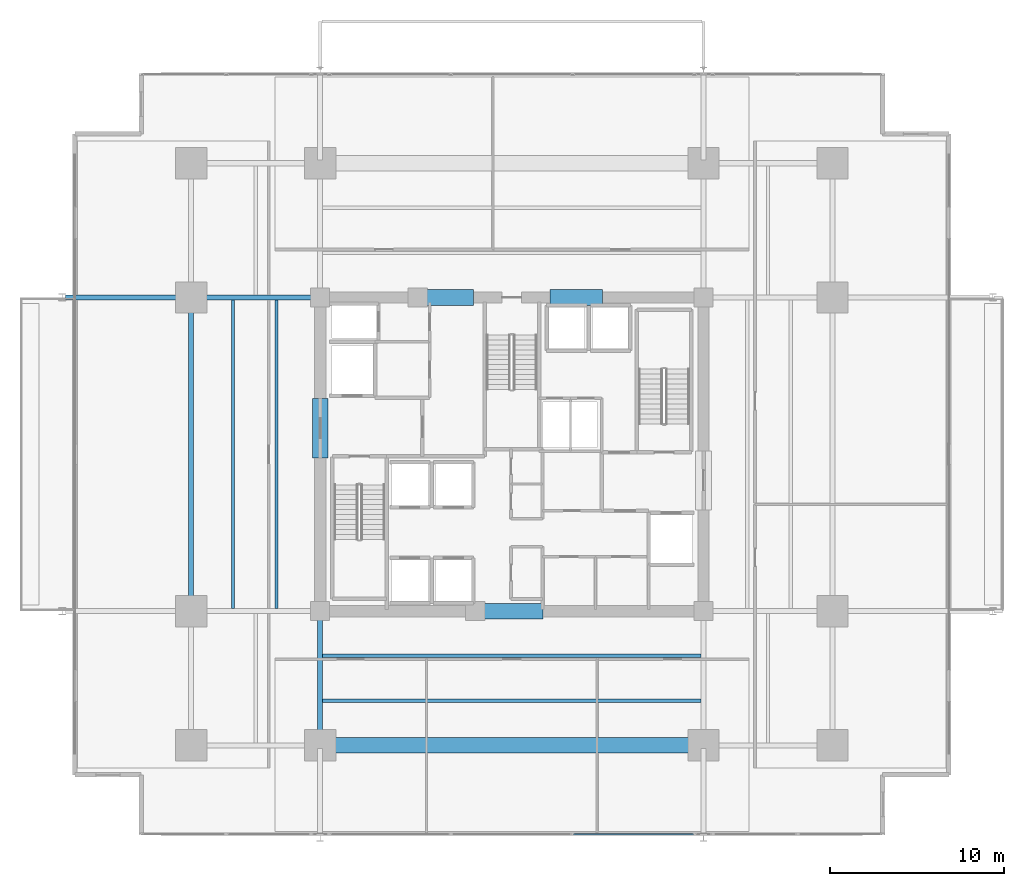
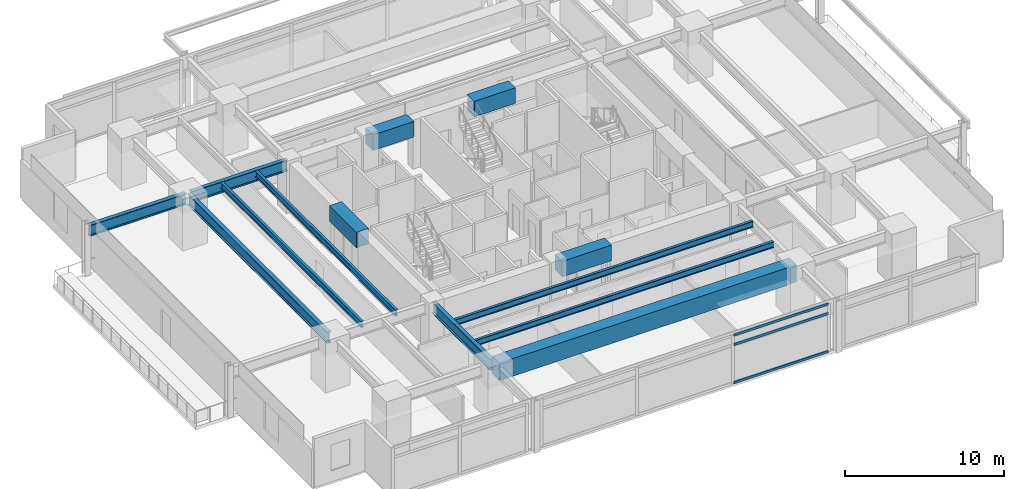
# One storey, part 4 of 20: 13 beams, 3 members, 1 element without a shape of its own.
"""IFC4 building model written with IfcOpenShell, lengths in metres."""

import ifcopenshell
import ifcopenshell.guid

model = None  # the IFC model being written
_history = None  # IfcOwnerHistory: only IFC2X3 demands one
_inside = {}  # id of a spatial element -> (the spatial element, [elements in it])
_under = {}  # id of a project, library or spatial element -> (it, [spatial elements below it])
_declared = {}  # id of a project -> (the project, [libraries it declares])
_typed = {}  # id of a type object -> (the type object, [elements of that type])
_made_of = {}  # id of a material, layer set ... -> (it, [elements and type objects made of it])


def new_model(schema):
    """Start an empty IFC model of exactly this schema.

    Asked for "IFC4X3", IfcOpenShell would pick the latest addendum, in which some entities
    have other attributes; the version numbers below select the first issue.
    IFC2X3 requires an IfcOwnerHistory on every rooted entity: one is made here for all.
    """
    global model, _history
    if schema == "IFC4X3":
        model = ifcopenshell.file(schema_version=(4, 3, 0, 0))
    else:
        model = ifcopenshell.file(schema=schema)
    _inside.clear()
    _under.clear()
    _declared.clear()
    _typed.clear()
    _made_of.clear()
    _history = None
    if model.schema == "IFC2X3":
        org = make("IfcOrganization", Name="unknown")
        user = make(
            "IfcPersonAndOrganization",
            ThePerson=make("IfcPerson", FamilyName="unknown"),
            TheOrganization=org,
        )
        app = make(
            "IfcApplication",
            ApplicationDeveloper=org,
            Version="unknown",
            ApplicationFullName="unknown",
            ApplicationIdentifier="unknown",
        )
        _history = make(
            "IfcOwnerHistory",
            OwningUser=user,
            OwningApplication=app,
            ChangeAction="ADDED",
            CreationDate=0,
        )
    return model


def make(cls, **values):
    """One entity of the class cls with the attributes given. An attribute that is None is left unset."""
    return model.create_entity(
        cls, **{name: value for name, value in values.items() if value is not None}
    )


def rooted(cls, **values):
    """An entity with a GlobalId (a new one), such as an element, a storey or a relation."""
    return make(cls, GlobalId=ifcopenshell.guid.new(), OwnerHistory=_history, **values)


def si_unit(unit_type, name, prefix=None):
    """IfcSIUnit, for example si_unit("LENGTHUNIT", "METRE", prefix="MILLI")."""
    return make("IfcSIUnit", UnitType=unit_type, Prefix=prefix, Name=name)


def assignment(units):
    """IfcUnitAssignment: the units of a project."""
    return None if units is None else make("IfcUnitAssignment", Units=units)


def point(xyz):
    """IfcCartesianPoint."""
    return None if xyz is None else make("IfcCartesianPoint", Coordinates=xyz)


def direction(xyz):
    """IfcDirection."""
    return None if xyz is None else make("IfcDirection", DirectionRatios=xyz)


def frame(location, z_axis=None, x_axis=None):
    """IfcAxis2Placement3D, a coordinate frame: its origin and axes. An axis left out is left unset."""
    return make(
        "IfcAxis2Placement3D",
        Location=point(location),
        Axis=direction(z_axis),
        RefDirection=direction(x_axis),
    )


def frame_2d(location, x_axis=None):
    """IfcAxis2Placement2D, a coordinate frame in the plane: its origin and x axis."""
    return make(
        "IfcAxis2Placement2D", Location=point(location), RefDirection=direction(x_axis)
    )


def origin():
    """The frame at (0, 0, 0) with its axes left unset."""
    return frame((0.0, 0.0, 0.0))


def origin_2d():
    """The frame at (0, 0) in the plane with its x axis left unset."""
    return frame_2d((0.0, 0.0))


def place(relative_to, where):
    """IfcLocalPlacement: puts the frame where relative to a parent placement (None: the world)."""
    return make(
        "IfcLocalPlacement", PlacementRelTo=relative_to, RelativePlacement=where
    )


def context(
    kind, dimensions, precision=None, world=None, true_north=None, identifier=None
):
    """IfcGeometricRepresentationContext, for example the 3D "Model" context."""
    return make(
        "IfcGeometricRepresentationContext",
        ContextIdentifier=identifier,
        ContextType=kind,
        CoordinateSpaceDimension=dimensions,
        Precision=precision,
        WorldCoordinateSystem=world,
        TrueNorth=true_north,
    )


def subcontext(parent, identifier, kind, view, scale=None):
    """IfcGeometricRepresentationSubContext, for example "Body" below "Model"."""
    return make(
        "IfcGeometricRepresentationSubContext",
        ContextIdentifier=identifier,
        ContextType=kind,
        ParentContext=parent,
        TargetScale=scale,
        TargetView=view,
    )


def project(units=None, contexts=None):
    """IfcProject with its units and contexts."""
    return rooted(
        "IfcProject",
        Name="project",
        RepresentationContexts=contexts,
        UnitsInContext=assignment(units),
    )


def spatial(cls, under=None, at=None, **own):
    """A site, building, storey or space (cls), placed at a placement, below another one or the project."""
    s = rooted(cls, ObjectPlacement=at, **own)
    if under is not None:
        _under.setdefault(under.id(), (under, []))[1].append(s)
    return s


def profile(cls, at=None, kind="AREA", **sizes):
    """A parametric profile (cls). Its sizes go by their IFC names, for example OverallWidth=200.0."""
    return make(cls, ProfileType=kind, Position=at, **sizes)


def rectangle(**sizes):
    """IfcRectangleProfileDef."""
    return profile("IfcRectangleProfileDef", **sizes)


def hollow_rectangle(**sizes):
    """IfcRectangleHollowProfileDef."""
    return profile("IfcRectangleHollowProfileDef", **sizes)


def i_section(**sizes):
    """IfcIShapeProfileDef."""
    return profile("IfcIShapeProfileDef", **sizes)


def extrude(swept, where, along, depth):
    """IfcExtrudedAreaSolid: the profile swept, set in the frame where, extruded along a direction by depth."""
    return make(
        "IfcExtrudedAreaSolid",
        SweptArea=swept,
        Position=where,
        ExtrudedDirection=direction(along),
        Depth=depth,
    )


def shape(context_of_items, identifier, shape_type, items):
    """IfcShapeRepresentation: the items that make up one representation, for example the "Body"."""
    return make(
        "IfcShapeRepresentation",
        ContextOfItems=context_of_items,
        RepresentationIdentifier=identifier,
        RepresentationType=shape_type,
        Items=items,
    )


def material(Name=None, Category=None):
    """IfcMaterial."""
    return make("IfcMaterial", Name=Name, Category=Category)


def material_profile(
    of_material, cross_section, Name=None, Category=None, Priority=None
):
    """IfcMaterialProfile: a cross section and its material."""
    return make(
        "IfcMaterialProfile",
        Name=Name,
        Material=of_material,
        Profile=cross_section,
        Priority=Priority,
        Category=Category,
    )


def profile_set(profiles, Name=None, composite=None):
    """IfcMaterialProfileSet."""
    return make(
        "IfcMaterialProfileSet",
        Name=Name,
        MaterialProfiles=profiles,
        CompositeProfile=composite,
    )


def made_of(thing, what):
    """Note that an element or type object is made of a material, layer set ...; save() writes the relation."""
    if what is not None:
        _made_of.setdefault(what.id(), (what, []))[1].append(thing)
    return thing


def type_object(cls, material=None, **own):
    """A type object (cls), such as IfcWallType, which elements share."""
    return made_of(rooted(cls, **own), material)


def element(
    cls,
    number,
    at=None,
    inside=None,
    cuts=None,
    type_object=None,
    material=None,
    context=None,
    identifier="Body",
    shape_type=None,
    held_by="IfcProductDefinitionShape",
    body=None,
    shapes=None,
    **own,
):
    """One element of the class cls, such as IfcWall. Its Tag is "e" and its number.

    at: its placement. inside: the storey or other place that contains it. cuts: it is an
    opening in that element (IfcRelVoidsElement). A single representation is given by context,
    identifier, shape_type and body (its items); several are given by shapes. held_by: the class
    of the entity that holds the representations. save() writes the other relations.
    """
    e = rooted(cls, Tag="e%d" % number, ObjectPlacement=at, **own)
    if body is not None:
        shapes = [shape(context, identifier, shape_type, body)]
    if shapes is not None:
        e.Representation = make(held_by, Representations=shapes)
    if inside is not None:
        _inside.setdefault(inside.id(), (inside, []))[1].append(e)
    if cuts is not None:
        rooted(
            "IfcRelVoidsElement", RelatingBuildingElement=cuts, RelatedOpeningElement=e
        )
    if type_object is not None:
        _typed.setdefault(type_object.id(), (type_object, []))[1].append(e)
    return made_of(e, material)


def aggregate(whole, parts):
    """IfcRelAggregates: a whole, such as a stair, and the parts it consists of."""
    return rooted("IfcRelAggregates", RelatingObject=whole, RelatedObjects=parts)


def save(model, path):
    """Write the relations noted so far, then the file.

    IfcRelAggregates (storeys below a building ...), IfcRelContainedInSpatialStructure (elements
    in a storey), IfcRelDefinesByType, IfcRelAssociatesMaterial and IfcRelDeclares: one each for
    every whole, place, type object, material and project.
    """
    for whole, parts in _under.values():
        aggregate(whole, parts)
    for where, things in _inside.values():
        rooted(
            "IfcRelContainedInSpatialStructure",
            RelatedElements=things,
            RelatingStructure=where,
        )
    for kind, things in _typed.values():
        rooted("IfcRelDefinesByType", RelatedObjects=things, RelatingType=kind)
    for what, things in _made_of.values():
        rooted("IfcRelAssociatesMaterial", RelatedObjects=things, RelatingMaterial=what)
    for by, libraries in _declared.values():
        rooted("IfcRelDeclares", RelatingContext=by, RelatedDefinitions=libraries)
    model.write(path)


model = new_model("IFC4")

# Units and contexts
model_context = context("Model", 3, precision=1e-05, world=origin(), true_north=direction((0.0, 1.0)))
body_context = subcontext(model_context, "Body", "Model", "MODEL_VIEW")
ifc_project = project(units=[si_unit("LENGTHUNIT", "METRE"), si_unit("AREAUNIT", "SQUARE_METRE"), si_unit("VOLUMEUNIT", "CUBIC_METRE"), si_unit("PLANEANGLEUNIT", "RADIAN"), si_unit("MASSUNIT", "GRAM", prefix="KILO")], contexts=[model_context])

# Site, building, storey
site_placement = place(None, origin())
site = spatial("IfcSite", under=ifc_project, at=site_placement, CompositionType="ELEMENT")
building_placement = place(site_placement, origin())
building = spatial("IfcBuilding", under=site, at=building_placement, Name="Kovane Verandah Tower", CompositionType="ELEMENT")
storey_placement = place(building_placement, frame((0.0, 0.0, 35.60009765625)))
storey = spatial("IfcBuildingStorey", under=building, at=storey_placement, Name="L07", CompositionType="ELEMENT", Elevation=35.60009765625)

# Beams
ifc_material_1 = material(Name="Concrete C80/95", Category="concrete")
ifc_material_profile_1 = material_profile(ifc_material_1, rectangle(XDim=0.89990234375, YDim=1.199951171875, at=origin_2d()), Name="RCB900x1200")
ifc_profile_set_1 = profile_set([ifc_material_profile_1], Name="Concrete C80/95")
beam_type_1 = type_object("IfcBeamType", Name="BM-LINTEL-900x1200", PredefinedType="LINTEL", material=ifc_profile_set_1)
beam_1_placement = place(storey_placement, frame((38.199951171875, 18.5, 3.159912109375), z_axis=(1.0, 0.0, 0.0), x_axis=(0.0, 1.0, 0.0)))
element("IfcBeam", 1, at=beam_1_placement, inside=storey, type_object=beam_type_1, Name="L07 Core Coupling Lintel CL-S", PredefinedType="LINTEL", context=body_context, shape_type="SweptSolid", body=[
    extrude(rectangle(XDim=0.89990234375, YDim=1.199951171875, at=origin_2d()), origin(), (0.0, 0.0, 1.0), 3.60009765625),
])
for number, where, z_axis, x_axis, name in (
    (2, (34.800048828125, 36.5, 3.159912109375), (1.0, 0.0, 0.0), (0.0, 1.0, 0.0), "L07 Core Coupling Lintel CL-N1"),
    (3, (42.199951171875, 36.5, 3.159912109375), (1.0, 0.0, 0.0), (0.0, 1.0, 0.0), "L07 Core Coupling Lintel CL-N2"),
):
    element("IfcBeam", number, at=place(storey_placement, frame(where, z_axis=z_axis, x_axis=x_axis)), inside=storey, type_object=beam_type_1, Name=name, PredefinedType="LINTEL", context=body_context, shape_type="SweptSolid", body=[
        extrude(rectangle(XDim=0.89990234375, YDim=1.199951171875, at=origin_2d()), origin(), (0.0, 0.0, 1.0), 3.0),
    ])
beam_2_placement = place(storey_placement, frame((29.0, 27.300048828125, 3.159912109375), z_axis=(0.0, 1.0, 0.0), x_axis=(-1.0, 0.0, 0.0)))
element("IfcBeam", 4, at=beam_2_placement, inside=storey, type_object=beam_type_1, Name="L07 Core Coupling Lintel CL-W", PredefinedType="LINTEL", context=body_context, shape_type="SweptSolid", body=[
    extrude(rectangle(XDim=0.89990234375, YDim=1.199951171875, at=origin_2d()), origin(), (0.0, 0.0, 1.0), 3.39990234375),
])
ifc_material_profile_2 = material_profile(ifc_material_1, rectangle(XDim=0.89990234375, YDim=1.35009765625, at=origin_2d()), Name="RCB900x1350")
ifc_profile_set_2 = profile_set([ifc_material_profile_2], Name="Concrete C80/95")
beam_type_2 = type_object("IfcBeamType", Name="BM-TR-900x1350", PredefinedType="BEAM", material=ifc_profile_set_2)
beam_3_placement = place(storey_placement, frame((29.179931640625, 10.800048828125, 3.0849609375), z_axis=(1.0, 0.0, 0.0), x_axis=(0.0, 1.0, 0.0)))
element("IfcBeam", 5, at=beam_3_placement, inside=storey, type_object=beam_type_2, Name="L07 Primary Tower Girder G-RS2", PredefinedType="BEAM", context=body_context, shape_type="SweptSolid", body=[
    extrude(rectangle(XDim=0.89990234375, YDim=1.35009765625, at=origin_2d()), origin(), (0.0, 0.0, 1.0), 21.64013671875),
])
ifc_material_2 = material(Name="Steel S355", Category="steel")
ifc_material_profile_3 = material_profile(ifc_material_2, i_section(OverallWidth=0.293701171875, OverallDepth=0.850830078125, WebThickness=0.01611328125, FlangeThickness=0.02685546875, FilletRadius=0.017822265625, at=origin_2d()), Name="UB838x292x226")
ifc_profile_set_3 = profile_set([ifc_material_profile_3], Name="Steel S355")
beam_type_3 = type_object("IfcBeamType", Name="BM-UB838x226", PredefinedType="BEAM", material=ifc_profile_set_3)
beam_4_placement = place(storey_placement, frame((21.60009765625, 18.679931640625, 3.33447265625), z_axis=(0.0, 1.0, 0.0), x_axis=(-1.0, 0.0, 0.0)))
element("IfcBeam", 6, at=beam_4_placement, inside=storey, type_object=beam_type_3, Name="L07 Primary Tower Girder G-RW2", PredefinedType="BEAM", context=body_context, shape_type="SweptSolid", body=[
    extrude(i_section(OverallWidth=0.293701171875, OverallDepth=0.850830078125, WebThickness=0.01611328125, FlangeThickness=0.02685546875, FilletRadius=0.017822265625, at=origin_2d()), origin(), (0.0, 0.0, 1.0), 17.64013671875),
])
beam_5_placement = place(storey_placement, frame((28.820068359375, 36.5, 3.33447265625), z_axis=(-1.0, 0.0, 0.0), x_axis=(0.0, -1.0, 0.0)))
element("IfcBeam", 7, at=beam_5_placement, inside=storey, type_object=beam_type_3, Name="L07 Primary Tower Girder G-W2", PredefinedType="BEAM", context=body_context, shape_type="SweptSolid", body=[
    extrude(i_section(OverallWidth=0.293701171875, OverallDepth=0.850830078125, WebThickness=0.01611328125, FlangeThickness=0.02685546875, FilletRadius=0.017822265625, at=origin_2d()), origin(), (0.0, 0.0, 1.0), 7.0400390625),
])
beam_6_placement = place(storey_placement, frame((29.0, 18.320068359375, 3.33447265625), z_axis=(0.0, -1.0, 0.0), x_axis=(1.0, 0.0, 0.0)))
element("IfcBeam", 8, at=beam_6_placement, inside=storey, type_object=beam_type_3, Name="L07 Primary Tower Girder G-S1", PredefinedType="BEAM", context=body_context, shape_type="SweptSolid", body=[
    extrude(i_section(OverallWidth=0.293701171875, OverallDepth=0.850830078125, WebThickness=0.01611328125, FlangeThickness=0.02685546875, FilletRadius=0.017822265625, at=origin_2d()), origin(), (0.0, 0.0, 1.0), 7.340087890625),
])
beam_7_placement = place(storey_placement, frame((21.419921875, 36.5, 3.33447265625), z_axis=(-1.0, 0.0, 0.0), x_axis=(0.0, -1.0, 0.0)))
element("IfcBeam", 9, at=beam_7_placement, inside=storey, type_object=beam_type_3, Name="L07 Primary Tower Girder G-VW2", PredefinedType="BEAM", context=body_context, shape_type="SweptSolid", body=[
    extrude(i_section(OverallWidth=0.293701171875, OverallDepth=0.850830078125, WebThickness=0.01611328125, FlangeThickness=0.02685546875, FilletRadius=0.017822265625, at=origin_2d()), origin(), (0.0, 0.0, 1.0), 7.0400390625),
])

# Curtain wall, members
ifc_material_3 = material(Name="Champagne Anodised Aluminium Frame with Low-E Clear Laminated Glass", Category="aluminium")
curtain_wall_type = type_object("IfcCurtainWallType", Name="CW-SYS-02-LOW", PredefinedType="NOTDEFINED", material=ifc_material_3)
curtain_wall_placement = place(storey_placement, origin())
curtain_wall = element("IfcCurtainWall", 10, at=curtain_wall_placement, inside=storey, type_object=curtain_wall_type, Name="L07 S Unitised Curtain Wall-2", PredefinedType="NOTDEFINED")
ifc_material_4 = material(Name="Champagne Anodised Aluminium 6063-T6", Category="aluminium")
ifc_material_profile_4 = material_profile(ifc_material_4, hollow_rectangle(XDim=0.0849609375, YDim=0.18994140625, WallThickness=0.00390625, at=origin_2d()), Name="AL85x190x4")
ifc_profile_set_4 = profile_set([ifc_material_profile_4], Name="Champagne Anodised Aluminium 6063-T6")
member_type = type_object("IfcMemberType", Name="CW-TRN-85x190", PredefinedType="USERDEFINED", material=ifc_profile_set_4)
member_1_placement = place(storey_placement, frame((43.543212890625, 5.710693359375, 0.0498046875), z_axis=(1.0, 0.0, 0.0), x_axis=(0.0, 1.0, 0.0)))
member_1 = element("IfcMember", 11, at=member_1_placement, type_object=member_type, Name="L07 S Unitised Curtain Wall-2 Transom TB Bay 3", ObjectType="TRANSOM", PredefinedType="USERDEFINED", context=body_context, shape_type="SweptSolid", body=[
    extrude(hollow_rectangle(XDim=0.0849609375, YDim=0.18994140625, WallThickness=0.00390625, at=origin_2d()), origin(), (0.0, 0.0, 1.0), 6.88671875),
])
member_2_placement = place(storey_placement, frame((43.543212890625, 5.710693359375, 2.97998046875), z_axis=(1.0, 0.0, 0.0), x_axis=(0.0, 1.0, 0.0)))
member_2 = element("IfcMember", 12, at=member_2_placement, type_object=member_type, Name="L07 S Unitised Curtain Wall-2 Transom TM Bay 3", ObjectType="TRANSOM", PredefinedType="USERDEFINED", context=body_context, shape_type="SweptSolid", body=[
    extrude(hollow_rectangle(XDim=0.0849609375, YDim=0.18994140625, WallThickness=0.00390625, at=origin_2d()), origin(), (0.0, 0.0, 1.0), 6.88671875),
])
member_3_placement = place(storey_placement, frame((43.543212890625, 5.710693359375, 3.7099609375), z_axis=(1.0, 0.0, 0.0), x_axis=(0.0, 1.0, 0.0)))
member_3 = element("IfcMember", 13, at=member_3_placement, type_object=member_type, Name="L07 S Unitised Curtain Wall-2 Transom TT Bay 3", ObjectType="TRANSOM", PredefinedType="USERDEFINED", context=body_context, shape_type="SweptSolid", body=[
    extrude(hollow_rectangle(XDim=0.0849609375, YDim=0.18994140625, WallThickness=0.00390625, at=origin_2d()), origin(), (0.0, 0.0, 1.0), 6.88671875),
])
aggregate(curtain_wall, [member_1, member_2, member_3])

# Beams
ifc_material_profile_5 = material_profile(ifc_material_2, i_section(OverallWidth=0.19287109375, OverallDepth=0.46728515625, WebThickness=0.011474609375, FlangeThickness=0.01953125, FilletRadius=0.01025390625, at=origin_2d()), Name="UB457x191x98")
ifc_profile_set_5 = profile_set([ifc_material_profile_5], Name="Steel S355")
beam_type_4 = type_object("IfcBeamType", Name="JST-UB457x98", PredefinedType="JOIST", material=ifc_profile_set_5)
for number, where, z_axis, x_axis, name in (
    (14, (29.14501953125, 13.35009765625, 3.5263671875), (1.0, 0.0, 0.0), (0.0, 1.0, 0.0), "L07 Secondary Composite Joist J-S1"),
    (15, (29.14501953125, 15.949951171875, 3.5263671875), (1.0, 0.0, 0.0), (0.0, 1.0, 0.0), "L07 Secondary Composite Joist J-S2"),
):
    element("IfcBeam", number, at=place(storey_placement, frame(where, z_axis=z_axis, x_axis=x_axis)), inside=storey, type_object=beam_type_4, Name=name, PredefinedType="JOIST", context=body_context, shape_type="SweptSolid", body=[
        extrude(i_section(OverallWidth=0.19287109375, OverallDepth=0.46728515625, WebThickness=0.011474609375, FlangeThickness=0.01953125, FilletRadius=0.01025390625, at=origin_2d()), origin(), (0.0, 0.0, 1.0), 21.7099609375),
    ])
for number, where, z_axis, x_axis, name in (
    (16, (24.0, 18.64501953125, 3.5263671875), (0.0, 1.0, 0.0), (-1.0, 0.0, 0.0), "L07 Secondary Composite Joist J-W1"),
    (17, (26.5, 18.64501953125, 3.5263671875), (0.0, 1.0, 0.0), (-1.0, 0.0, 0.0), "L07 Secondary Composite Joist J-W2"),
):
    element("IfcBeam", number, at=place(storey_placement, frame(where, z_axis=z_axis, x_axis=x_axis)), inside=storey, type_object=beam_type_4, Name=name, PredefinedType="JOIST", context=body_context, shape_type="SweptSolid", body=[
        extrude(i_section(OverallWidth=0.19287109375, OverallDepth=0.46728515625, WebThickness=0.011474609375, FlangeThickness=0.01953125, FilletRadius=0.01025390625, at=origin_2d()), origin(), (0.0, 0.0, 1.0), 17.7099609375),
    ])

save(model, "model.ifc")
